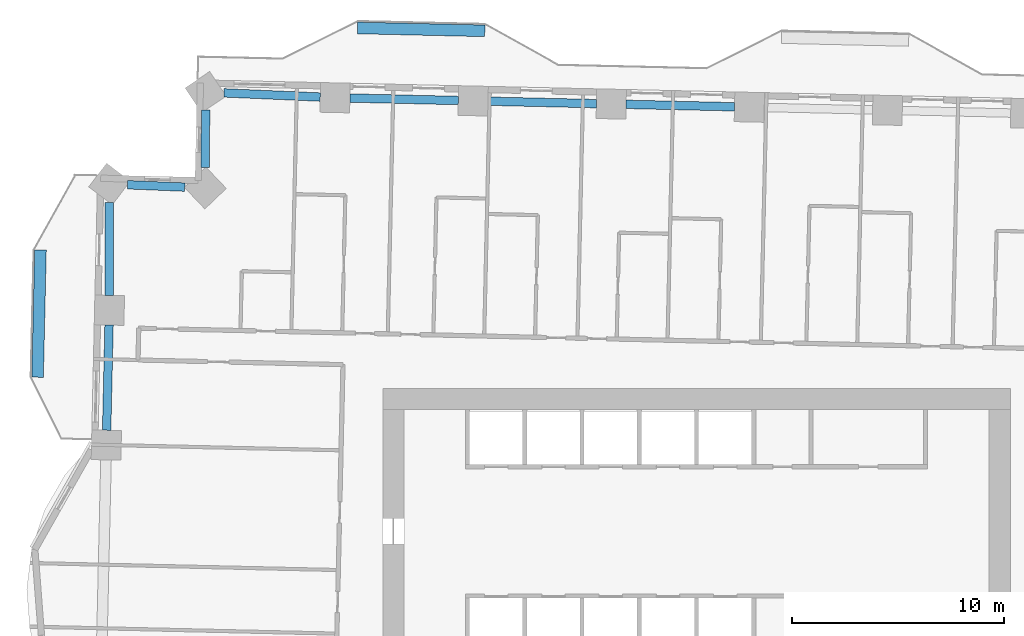
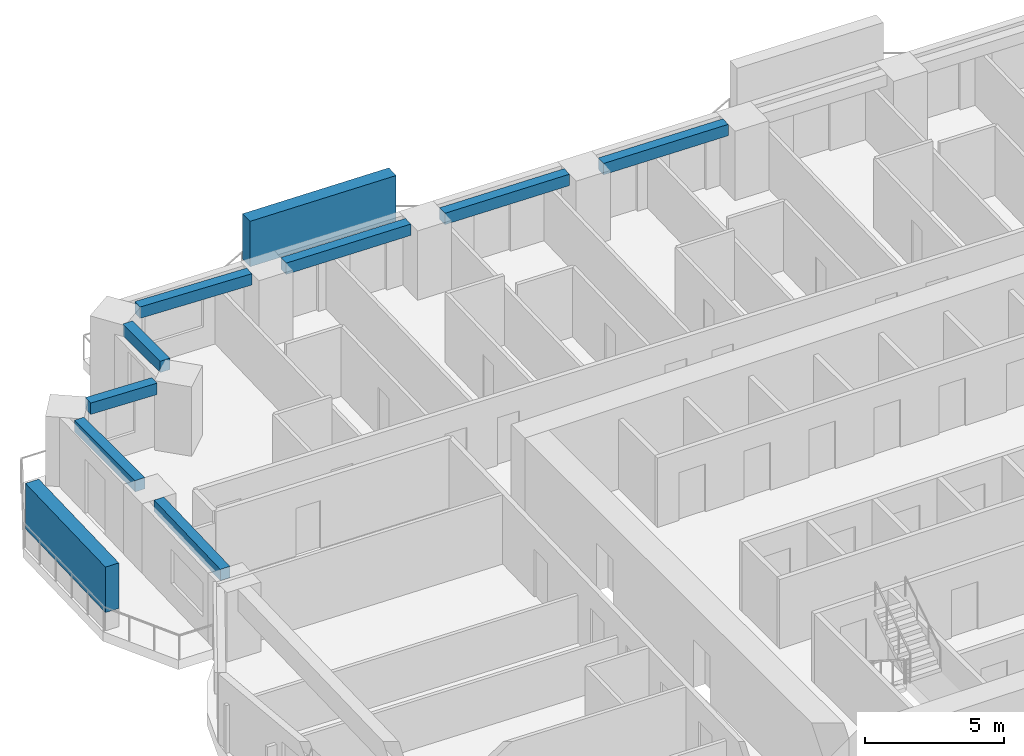
# One storey, part 3 of 16: 8 beams, 2 members.
"""IFC4 building model written with IfcOpenShell, lengths in metres."""

import ifcopenshell
import ifcopenshell.guid

model = None  # the IFC model being written
_history = None  # IfcOwnerHistory: only IFC2X3 demands one
_inside = {}  # id of a spatial element -> (the spatial element, [elements in it])
_under = {}  # id of a project, library or spatial element -> (it, [spatial elements below it])
_declared = {}  # id of a project -> (the project, [libraries it declares])
_typed = {}  # id of a type object -> (the type object, [elements of that type])
_made_of = {}  # id of a material, layer set ... -> (it, [elements and type objects made of it])


def new_model(schema):
    """Start an empty IFC model of exactly this schema.

    Asked for "IFC4X3", IfcOpenShell would pick the latest addendum, in which some entities
    have other attributes; the version numbers below select the first issue.
    IFC2X3 requires an IfcOwnerHistory on every rooted entity: one is made here for all.
    """
    global model, _history
    if schema == "IFC4X3":
        model = ifcopenshell.file(schema_version=(4, 3, 0, 0))
    else:
        model = ifcopenshell.file(schema=schema)
    _inside.clear()
    _under.clear()
    _declared.clear()
    _typed.clear()
    _made_of.clear()
    _history = None
    if model.schema == "IFC2X3":
        org = make("IfcOrganization", Name="unknown")
        user = make(
            "IfcPersonAndOrganization",
            ThePerson=make("IfcPerson", FamilyName="unknown"),
            TheOrganization=org,
        )
        app = make(
            "IfcApplication",
            ApplicationDeveloper=org,
            Version="unknown",
            ApplicationFullName="unknown",
            ApplicationIdentifier="unknown",
        )
        _history = make(
            "IfcOwnerHistory",
            OwningUser=user,
            OwningApplication=app,
            ChangeAction="ADDED",
            CreationDate=0,
        )
    return model


def make(cls, **values):
    """One entity of the class cls with the attributes given. An attribute that is None is left unset."""
    return model.create_entity(
        cls, **{name: value for name, value in values.items() if value is not None}
    )


def rooted(cls, **values):
    """An entity with a GlobalId (a new one), such as an element, a storey or a relation."""
    return make(cls, GlobalId=ifcopenshell.guid.new(), OwnerHistory=_history, **values)


def si_unit(unit_type, name, prefix=None):
    """IfcSIUnit, for example si_unit("LENGTHUNIT", "METRE", prefix="MILLI")."""
    return make("IfcSIUnit", UnitType=unit_type, Prefix=prefix, Name=name)


def assignment(units):
    """IfcUnitAssignment: the units of a project."""
    return None if units is None else make("IfcUnitAssignment", Units=units)


def point(xyz):
    """IfcCartesianPoint."""
    return None if xyz is None else make("IfcCartesianPoint", Coordinates=xyz)


def direction(xyz):
    """IfcDirection."""
    return None if xyz is None else make("IfcDirection", DirectionRatios=xyz)


def frame(location, z_axis=None, x_axis=None):
    """IfcAxis2Placement3D, a coordinate frame: its origin and axes. An axis left out is left unset."""
    return make(
        "IfcAxis2Placement3D",
        Location=point(location),
        Axis=direction(z_axis),
        RefDirection=direction(x_axis),
    )


def frame_2d(location, x_axis=None):
    """IfcAxis2Placement2D, a coordinate frame in the plane: its origin and x axis."""
    return make(
        "IfcAxis2Placement2D", Location=point(location), RefDirection=direction(x_axis)
    )


def origin():
    """The frame at (0, 0, 0) with its axes left unset."""
    return frame((0.0, 0.0, 0.0))


def origin_2d():
    """The frame at (0, 0) in the plane with its x axis left unset."""
    return frame_2d((0.0, 0.0))


def place(relative_to, where):
    """IfcLocalPlacement: puts the frame where relative to a parent placement (None: the world)."""
    return make(
        "IfcLocalPlacement", PlacementRelTo=relative_to, RelativePlacement=where
    )


def context(
    kind, dimensions, precision=None, world=None, true_north=None, identifier=None
):
    """IfcGeometricRepresentationContext, for example the 3D "Model" context."""
    return make(
        "IfcGeometricRepresentationContext",
        ContextIdentifier=identifier,
        ContextType=kind,
        CoordinateSpaceDimension=dimensions,
        Precision=precision,
        WorldCoordinateSystem=world,
        TrueNorth=true_north,
    )


def subcontext(parent, identifier, kind, view, scale=None):
    """IfcGeometricRepresentationSubContext, for example "Body" below "Model"."""
    return make(
        "IfcGeometricRepresentationSubContext",
        ContextIdentifier=identifier,
        ContextType=kind,
        ParentContext=parent,
        TargetScale=scale,
        TargetView=view,
    )


def project(units=None, contexts=None):
    """IfcProject with its units and contexts."""
    return rooted(
        "IfcProject",
        Name="project",
        RepresentationContexts=contexts,
        UnitsInContext=assignment(units),
    )


def spatial(cls, under=None, at=None, **own):
    """A site, building, storey or space (cls), placed at a placement, below another one or the project."""
    s = rooted(cls, ObjectPlacement=at, **own)
    if under is not None:
        _under.setdefault(under.id(), (under, []))[1].append(s)
    return s


def profile(cls, at=None, kind="AREA", **sizes):
    """A parametric profile (cls). Its sizes go by their IFC names, for example OverallWidth=200.0."""
    return make(cls, ProfileType=kind, Position=at, **sizes)


def rectangle(**sizes):
    """IfcRectangleProfileDef."""
    return profile("IfcRectangleProfileDef", **sizes)


def extrude(swept, where, along, depth):
    """IfcExtrudedAreaSolid: the profile swept, set in the frame where, extruded along a direction by depth."""
    return make(
        "IfcExtrudedAreaSolid",
        SweptArea=swept,
        Position=where,
        ExtrudedDirection=direction(along),
        Depth=depth,
    )


def shape(context_of_items, identifier, shape_type, items):
    """IfcShapeRepresentation: the items that make up one representation, for example the "Body"."""
    return make(
        "IfcShapeRepresentation",
        ContextOfItems=context_of_items,
        RepresentationIdentifier=identifier,
        RepresentationType=shape_type,
        Items=items,
    )


def material(Name=None, Category=None):
    """IfcMaterial."""
    return make("IfcMaterial", Name=Name, Category=Category)


def material_profile(
    of_material, cross_section, Name=None, Category=None, Priority=None
):
    """IfcMaterialProfile: a cross section and its material."""
    return make(
        "IfcMaterialProfile",
        Name=Name,
        Material=of_material,
        Profile=cross_section,
        Priority=Priority,
        Category=Category,
    )


def profile_set(profiles, Name=None, composite=None):
    """IfcMaterialProfileSet."""
    return make(
        "IfcMaterialProfileSet",
        Name=Name,
        MaterialProfiles=profiles,
        CompositeProfile=composite,
    )


def made_of(thing, what):
    """Note that an element or type object is made of a material, layer set ...; save() writes the relation."""
    if what is not None:
        _made_of.setdefault(what.id(), (what, []))[1].append(thing)
    return thing


def type_object(cls, material=None, **own):
    """A type object (cls), such as IfcWallType, which elements share."""
    return made_of(rooted(cls, **own), material)


def element(
    cls,
    number,
    at=None,
    inside=None,
    cuts=None,
    type_object=None,
    material=None,
    context=None,
    identifier="Body",
    shape_type=None,
    held_by="IfcProductDefinitionShape",
    body=None,
    shapes=None,
    **own,
):
    """One element of the class cls, such as IfcWall. Its Tag is "e" and its number.

    at: its placement. inside: the storey or other place that contains it. cuts: it is an
    opening in that element (IfcRelVoidsElement). A single representation is given by context,
    identifier, shape_type and body (its items); several are given by shapes. held_by: the class
    of the entity that holds the representations. save() writes the other relations.
    """
    e = rooted(cls, Tag="e%d" % number, ObjectPlacement=at, **own)
    if body is not None:
        shapes = [shape(context, identifier, shape_type, body)]
    if shapes is not None:
        e.Representation = make(held_by, Representations=shapes)
    if inside is not None:
        _inside.setdefault(inside.id(), (inside, []))[1].append(e)
    if cuts is not None:
        rooted(
            "IfcRelVoidsElement", RelatingBuildingElement=cuts, RelatedOpeningElement=e
        )
    if type_object is not None:
        _typed.setdefault(type_object.id(), (type_object, []))[1].append(e)
    return made_of(e, material)


def aggregate(whole, parts):
    """IfcRelAggregates: a whole, such as a stair, and the parts it consists of."""
    return rooted("IfcRelAggregates", RelatingObject=whole, RelatedObjects=parts)


def save(model, path):
    """Write the relations noted so far, then the file.

    IfcRelAggregates (storeys below a building ...), IfcRelContainedInSpatialStructure (elements
    in a storey), IfcRelDefinesByType, IfcRelAssociatesMaterial and IfcRelDeclares: one each for
    every whole, place, type object, material and project.
    """
    for whole, parts in _under.values():
        aggregate(whole, parts)
    for where, things in _inside.values():
        rooted(
            "IfcRelContainedInSpatialStructure",
            RelatedElements=things,
            RelatingStructure=where,
        )
    for kind, things in _typed.values():
        rooted("IfcRelDefinesByType", RelatedObjects=things, RelatingType=kind)
    for what, things in _made_of.values():
        rooted("IfcRelAssociatesMaterial", RelatedObjects=things, RelatingMaterial=what)
    for by, libraries in _declared.values():
        rooted("IfcRelDeclares", RelatingContext=by, RelatedDefinitions=libraries)
    model.write(path)


model = new_model("IFC4")

# Units and contexts
model_context = context("Model", 3, precision=1e-05, world=origin(), true_north=direction((0.0, 1.0)))
body_context = subcontext(model_context, "Body", "Model", "MODEL_VIEW")
ifc_project = project(units=[si_unit("LENGTHUNIT", "METRE"), si_unit("AREAUNIT", "SQUARE_METRE"), si_unit("VOLUMEUNIT", "CUBIC_METRE"), si_unit("PLANEANGLEUNIT", "RADIAN"), si_unit("MASSUNIT", "GRAM", prefix="KILO")], contexts=[model_context])

# Site, building, storey
site_placement = place(None, origin())
site = spatial("IfcSite", under=ifc_project, at=site_placement, CompositionType="ELEMENT")
building_placement = place(site_placement, origin())
building = spatial("IfcBuilding", under=site, at=building_placement, Name="Mangrove Gate Tower", CompositionType="ELEMENT")
storey_placement = place(building_placement, frame((0.0, 0.0, 105.5)))
storey = spatial("IfcBuildingStorey", under=building, at=storey_placement, Name="L26", CompositionType="ELEMENT", Elevation=105.5)

# Members
ifc_material_1 = material(Name="Planting on aluminium trellis", Category="aluminium")
ifc_material_profile_1 = material_profile(ifc_material_1, rectangle(XDim=0.550048828125, YDim=2.0, at=origin_2d()))
ifc_profile_set_1 = profile_set([ifc_material_profile_1], Name="Planting on aluminium trellis")
member_type = type_object("IfcMemberType", Name="Balcony greenery screen 550x2000", PredefinedType="USERDEFINED", material=ifc_profile_set_1)
member_1_placement = place(storey_placement, frame((-15.988037109375, 28.798095703125, 1.800048828125), z_axis=(0.999743178102, -0.022662255828, 0.0), x_axis=(0.022662255828, 0.999743178102, 0.0)))
element("IfcMember", 1, at=member_1_placement, inside=storey, type_object=member_type, Name="GREEN SCREEN L26 N1.1", ObjectType="PLANTING", PredefinedType="USERDEFINED", context=body_context, shape_type="SweptSolid", body=[
    extrude(rectangle(XDim=0.550048828125, YDim=2.0, at=origin_2d()), origin(), (0.0, 0.0, 1.0), 6.00048828125),
])
member_2_placement = place(storey_placement, frame((-31.083984375, 12.322021484375, 1.800048828125), z_axis=(0.022665943652, 0.999743094499, 0.0), x_axis=(-0.999743094499, 0.022665943652, 0.0)))
element("IfcMember", 2, at=member_2_placement, inside=storey, type_object=member_type, Name="GREEN SCREEN L26 W0.1", ObjectType="PLANTING", PredefinedType="USERDEFINED", context=body_context, shape_type="SweptSolid", body=[
    extrude(rectangle(XDim=0.550048828125, YDim=2.0, at=origin_2d()), origin(), (0.0, 0.0, 1.0), 5.99951171875),
])

# Beams
ifc_material_2 = material(Name="Concrete C50/60", Category="concrete")
ifc_material_profile_2 = material_profile(ifc_material_2, rectangle(XDim=0.39990234375, YDim=0.5, at=origin_2d()))
ifc_profile_set_2 = profile_set([ifc_material_profile_2], Name="Concrete C50/60")
beam_type = type_object("IfcBeamType", Name="Edge beam RC 400x500 C50/60", PredefinedType="BEAM", material=ifc_profile_set_2)
beam_1_placement = place(storey_placement, frame((1.790283203125, 25.0791015625, 2.800048828125), z_axis=(-0.99974193409, 0.022717068963, 0.0), x_axis=(-0.022717068963, -0.99974193409, 0.0)))
element("IfcBeam", 3, at=beam_1_placement, inside=storey, type_object=beam_type, Name="Edge beam L26 23", PredefinedType="BEAM", context=body_context, shape_type="SweptSolid", body=[
    extrude(rectangle(XDim=0.39990234375, YDim=0.5, at=origin_2d()), origin(), (0.0, 0.0, 1.0), 5.115478515625),
])
beam_2_placement = place(storey_placement, frame((-4.7236328125, 25.22705078125, 2.800048828125), z_axis=(-0.999741958717, 0.022715985123, 0.0), x_axis=(-0.022715985123, -0.999741958717, 0.0)))
element("IfcBeam", 4, at=beam_2_placement, inside=storey, type_object=beam_type, Name="Edge beam L26 24", PredefinedType="BEAM", context=body_context, shape_type="SweptSolid", body=[
    extrude(rectangle(XDim=0.39990234375, YDim=0.5, at=origin_2d()), origin(), (0.0, 0.0, 1.0), 5.11572265625),
])
beam_3_placement = place(storey_placement, frame((-11.23779296875, 25.375, 2.800048828125), z_axis=(-0.999741835545, 0.022721405353, 0.0), x_axis=(-0.022721405353, -0.999741835545, 0.0)))
element("IfcBeam", 5, at=beam_3_placement, inside=storey, type_object=beam_type, Name="Edge beam L26 25", PredefinedType="BEAM", context=body_context, shape_type="SweptSolid", body=[
    extrude(rectangle(XDim=0.39990234375, YDim=0.5, at=origin_2d()), origin(), (0.0, 0.0, 1.0), 5.114501953125),
])
beam_4_placement = place(storey_placement, frame((-17.750244140625, 25.53759765625, 2.800048828125), z_axis=(-0.999052301684, 0.043525837154, 0.0), x_axis=(-0.043525837154, -0.999052301684, 0.0)))
element("IfcBeam", 6, at=beam_4_placement, inside=storey, type_object=beam_type, Name="Edge beam L26 26", PredefinedType="BEAM", context=body_context, shape_type="SweptSolid", body=[
    extrude(rectangle(XDim=0.39990234375, YDim=0.5, at=origin_2d()), origin(), (0.0, 0.0, 1.0), 4.54345703125),
])
beam_5_placement = place(storey_placement, frame((-23.16064453125, 24.927978515625, 2.800048828125), z_axis=(-0.002614959499, -0.999996580988, 0.0), x_axis=(0.999996580988, -0.002614959499, 0.0)))
element("IfcBeam", 7, at=beam_5_placement, inside=storey, type_object=beam_type, Name="Edge beam L26 27", PredefinedType="BEAM", context=body_context, shape_type="SweptSolid", body=[
    extrude(rectangle(XDim=0.39990234375, YDim=0.5, at=origin_2d()), origin(), (0.0, 0.0, 1.0), 2.70751953125),
])
beam_6_placement = place(storey_placement, frame((-24.1416015625, 21.2900390625, 2.800048828125), z_axis=(-0.999144150658, 0.041363827262, 0.0), x_axis=(-0.041363827262, -0.999144150658, 0.0)))
element("IfcBeam", 8, at=beam_6_placement, inside=storey, type_object=beam_type, Name="Edge beam L26 28", PredefinedType="BEAM", context=body_context, shape_type="SweptSolid", body=[
    extrude(rectangle(XDim=0.39990234375, YDim=0.5, at=origin_2d()), origin(), (0.0, 0.0, 1.0), 2.703125),
])
beam_7_placement = place(storey_placement, frame((-27.694580078125, 20.55908203125, 2.800048828125), z_axis=(-0.000502148015, -0.999999873924, 0.0), x_axis=(0.999999873924, -0.000502148015, 0.0)))
element("IfcBeam", 9, at=beam_7_placement, inside=storey, type_object=beam_type, Name="Edge beam L26 29", PredefinedType="BEAM", context=body_context, shape_type="SweptSolid", body=[
    extrude(rectangle(XDim=0.39990234375, YDim=0.5, at=origin_2d()), origin(), (0.0, 0.0, 1.0), 4.375732421875),
])
beam_8_placement = place(storey_placement, frame((-27.713134765625, 14.783203125, 2.800048828125), z_axis=(-0.022630883757, -0.999743888754, 0.0), x_axis=(0.999743888754, -0.022630883757, 0.0)))
element("IfcBeam", 10, at=beam_8_placement, inside=storey, type_object=beam_type, Name="Edge beam L26 30", PredefinedType="BEAM", context=body_context, shape_type="SweptSolid", body=[
    extrude(rectangle(XDim=0.39990234375, YDim=0.5, at=origin_2d()), origin(), (0.0, 0.0, 1.0), 4.96240234375),
])

save(model, "model.ifc")
